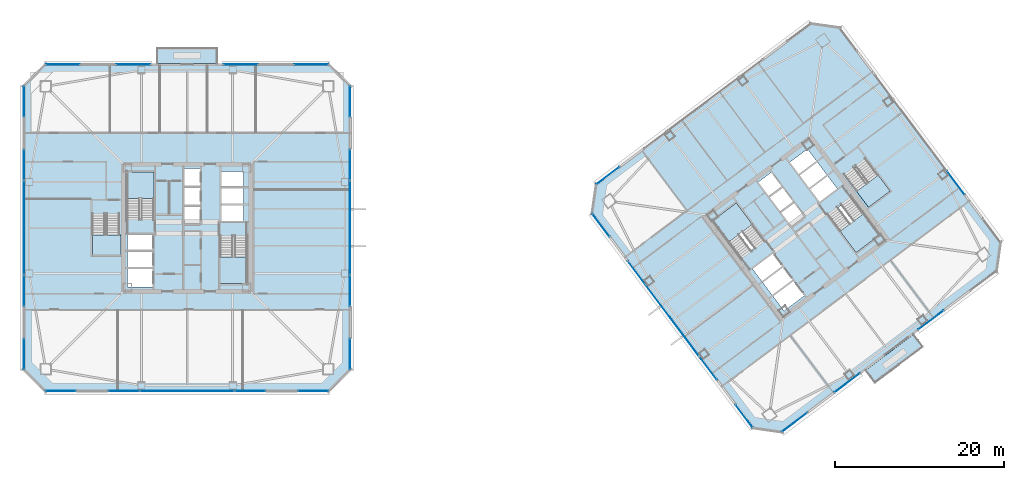
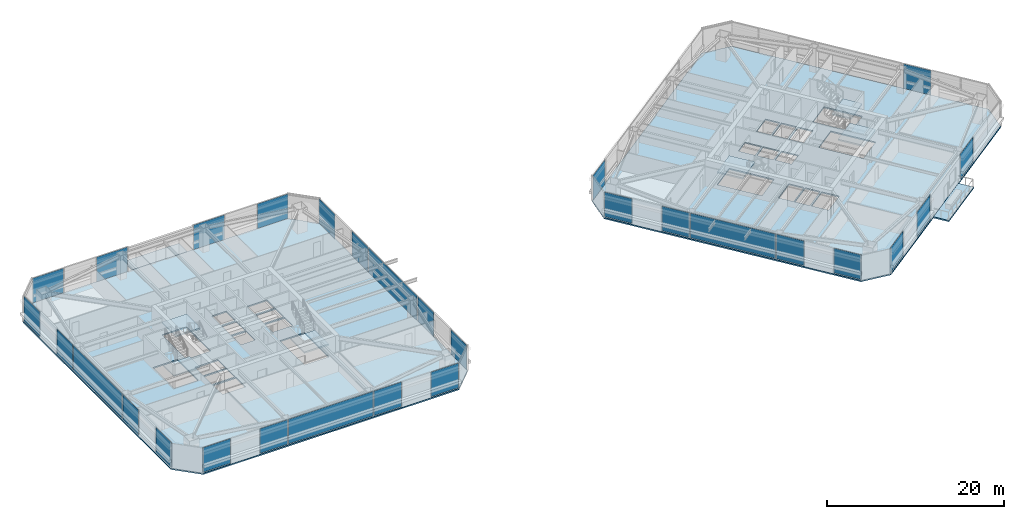
# One storey, part 34 of 46: 29 plates, 10 slabs, 35 elements without a shape of their own.
"""IFC4 building model written with IfcOpenShell, lengths in metres."""

import ifcopenshell
import ifcopenshell.guid

model = None  # the IFC model being written
_history = None  # IfcOwnerHistory: only IFC2X3 demands one
_inside = {}  # id of a spatial element -> (the spatial element, [elements in it])
_under = {}  # id of a project, library or spatial element -> (it, [spatial elements below it])
_declared = {}  # id of a project -> (the project, [libraries it declares])
_typed = {}  # id of a type object -> (the type object, [elements of that type])
_made_of = {}  # id of a material, layer set ... -> (it, [elements and type objects made of it])


def new_model(schema):
    """Start an empty IFC model of exactly this schema.

    Asked for "IFC4X3", IfcOpenShell would pick the latest addendum, in which some entities
    have other attributes; the version numbers below select the first issue.
    IFC2X3 requires an IfcOwnerHistory on every rooted entity: one is made here for all.
    """
    global model, _history
    if schema == "IFC4X3":
        model = ifcopenshell.file(schema_version=(4, 3, 0, 0))
    else:
        model = ifcopenshell.file(schema=schema)
    _inside.clear()
    _under.clear()
    _declared.clear()
    _typed.clear()
    _made_of.clear()
    _history = None
    if model.schema == "IFC2X3":
        org = make("IfcOrganization", Name="unknown")
        user = make(
            "IfcPersonAndOrganization",
            ThePerson=make("IfcPerson", FamilyName="unknown"),
            TheOrganization=org,
        )
        app = make(
            "IfcApplication",
            ApplicationDeveloper=org,
            Version="unknown",
            ApplicationFullName="unknown",
            ApplicationIdentifier="unknown",
        )
        _history = make(
            "IfcOwnerHistory",
            OwningUser=user,
            OwningApplication=app,
            ChangeAction="ADDED",
            CreationDate=0,
        )
    return model


def make(cls, **values):
    """One entity of the class cls with the attributes given. An attribute that is None is left unset."""
    return model.create_entity(
        cls, **{name: value for name, value in values.items() if value is not None}
    )


def rooted(cls, **values):
    """An entity with a GlobalId (a new one), such as an element, a storey or a relation."""
    return make(cls, GlobalId=ifcopenshell.guid.new(), OwnerHistory=_history, **values)


def si_unit(unit_type, name, prefix=None):
    """IfcSIUnit, for example si_unit("LENGTHUNIT", "METRE", prefix="MILLI")."""
    return make("IfcSIUnit", UnitType=unit_type, Prefix=prefix, Name=name)


def assignment(units):
    """IfcUnitAssignment: the units of a project."""
    return None if units is None else make("IfcUnitAssignment", Units=units)


def point(xyz):
    """IfcCartesianPoint."""
    return None if xyz is None else make("IfcCartesianPoint", Coordinates=xyz)


def direction(xyz):
    """IfcDirection."""
    return None if xyz is None else make("IfcDirection", DirectionRatios=xyz)


def frame(location, z_axis=None, x_axis=None):
    """IfcAxis2Placement3D, a coordinate frame: its origin and axes. An axis left out is left unset."""
    return make(
        "IfcAxis2Placement3D",
        Location=point(location),
        Axis=direction(z_axis),
        RefDirection=direction(x_axis),
    )


def frame_2d(location, x_axis=None):
    """IfcAxis2Placement2D, a coordinate frame in the plane: its origin and x axis."""
    return make(
        "IfcAxis2Placement2D", Location=point(location), RefDirection=direction(x_axis)
    )


def origin():
    """The frame at (0, 0, 0) with its axes left unset."""
    return frame((0.0, 0.0, 0.0))


def origin_2d():
    """The frame at (0, 0) in the plane with its x axis left unset."""
    return frame_2d((0.0, 0.0))


def place(relative_to, where):
    """IfcLocalPlacement: puts the frame where relative to a parent placement (None: the world)."""
    return make(
        "IfcLocalPlacement", PlacementRelTo=relative_to, RelativePlacement=where
    )


def context(
    kind, dimensions, precision=None, world=None, true_north=None, identifier=None
):
    """IfcGeometricRepresentationContext, for example the 3D "Model" context."""
    return make(
        "IfcGeometricRepresentationContext",
        ContextIdentifier=identifier,
        ContextType=kind,
        CoordinateSpaceDimension=dimensions,
        Precision=precision,
        WorldCoordinateSystem=world,
        TrueNorth=true_north,
    )


def subcontext(parent, identifier, kind, view, scale=None):
    """IfcGeometricRepresentationSubContext, for example "Body" below "Model"."""
    return make(
        "IfcGeometricRepresentationSubContext",
        ContextIdentifier=identifier,
        ContextType=kind,
        ParentContext=parent,
        TargetScale=scale,
        TargetView=view,
    )


def project(units=None, contexts=None):
    """IfcProject with its units and contexts."""
    return rooted(
        "IfcProject",
        Name="project",
        RepresentationContexts=contexts,
        UnitsInContext=assignment(units),
    )


def spatial(cls, under=None, at=None, **own):
    """A site, building, storey or space (cls), placed at a placement, below another one or the project."""
    s = rooted(cls, ObjectPlacement=at, **own)
    if under is not None:
        _under.setdefault(under.id(), (under, []))[1].append(s)
    return s


def polyline(points):
    """IfcPolyline through the points."""
    return make("IfcPolyline", Points=[point(p) for p in points])


def profile(cls, at=None, kind="AREA", **sizes):
    """A parametric profile (cls). Its sizes go by their IFC names, for example OverallWidth=200.0."""
    return make(cls, ProfileType=kind, Position=at, **sizes)


def rectangle(**sizes):
    """IfcRectangleProfileDef."""
    return profile("IfcRectangleProfileDef", **sizes)


def outline(outer, holes=None, kind="AREA"):
    """IfcArbitraryClosedProfileDef: a profile drawn as a closed curve; with holes, ...WithVoids."""
    if holes is None:
        return make("IfcArbitraryClosedProfileDef", ProfileType=kind, OuterCurve=outer)
    return make(
        "IfcArbitraryProfileDefWithVoids",
        ProfileType=kind,
        OuterCurve=outer,
        InnerCurves=holes,
    )


def extrude(swept, where, along, depth):
    """IfcExtrudedAreaSolid: the profile swept, set in the frame where, extruded along a direction by depth."""
    return make(
        "IfcExtrudedAreaSolid",
        SweptArea=swept,
        Position=where,
        ExtrudedDirection=direction(along),
        Depth=depth,
    )


def shape(context_of_items, identifier, shape_type, items):
    """IfcShapeRepresentation: the items that make up one representation, for example the "Body"."""
    return make(
        "IfcShapeRepresentation",
        ContextOfItems=context_of_items,
        RepresentationIdentifier=identifier,
        RepresentationType=shape_type,
        Items=items,
    )


def material(Name=None, Category=None):
    """IfcMaterial."""
    return make("IfcMaterial", Name=Name, Category=Category)


def layer(
    of_material, thickness, ventilated=None, Name=None, Category=None, Priority=None
):
    """IfcMaterialLayer: one layer of a wall or slab, of a material (None: an air gap)."""
    return make(
        "IfcMaterialLayer",
        Material=of_material,
        LayerThickness=thickness,
        IsVentilated=ventilated,
        Name=Name,
        Category=Category,
        Priority=Priority,
    )


def layer_set(layers, Name=None):
    """IfcMaterialLayerSet."""
    return make("IfcMaterialLayerSet", MaterialLayers=layers, LayerSetName=Name)


def made_of(thing, what):
    """Note that an element or type object is made of a material, layer set ...; save() writes the relation."""
    if what is not None:
        _made_of.setdefault(what.id(), (what, []))[1].append(thing)
    return thing


def type_object(cls, material=None, **own):
    """A type object (cls), such as IfcWallType, which elements share."""
    return made_of(rooted(cls, **own), material)


def element(
    cls,
    number,
    at=None,
    inside=None,
    cuts=None,
    type_object=None,
    material=None,
    context=None,
    identifier="Body",
    shape_type=None,
    held_by="IfcProductDefinitionShape",
    body=None,
    shapes=None,
    **own,
):
    """One element of the class cls, such as IfcWall. Its Tag is "e" and its number.

    at: its placement. inside: the storey or other place that contains it. cuts: it is an
    opening in that element (IfcRelVoidsElement). A single representation is given by context,
    identifier, shape_type and body (its items); several are given by shapes. held_by: the class
    of the entity that holds the representations. save() writes the other relations.
    """
    e = rooted(cls, Tag="e%d" % number, ObjectPlacement=at, **own)
    if body is not None:
        shapes = [shape(context, identifier, shape_type, body)]
    if shapes is not None:
        e.Representation = make(held_by, Representations=shapes)
    if inside is not None:
        _inside.setdefault(inside.id(), (inside, []))[1].append(e)
    if cuts is not None:
        rooted(
            "IfcRelVoidsElement", RelatingBuildingElement=cuts, RelatedOpeningElement=e
        )
    if type_object is not None:
        _typed.setdefault(type_object.id(), (type_object, []))[1].append(e)
    return made_of(e, material)


def aggregate(whole, parts):
    """IfcRelAggregates: a whole, such as a stair, and the parts it consists of."""
    return rooted("IfcRelAggregates", RelatingObject=whole, RelatedObjects=parts)


def save(model, path):
    """Write the relations noted so far, then the file.

    IfcRelAggregates (storeys below a building ...), IfcRelContainedInSpatialStructure (elements
    in a storey), IfcRelDefinesByType, IfcRelAssociatesMaterial and IfcRelDeclares: one each for
    every whole, place, type object, material and project.
    """
    for whole, parts in _under.values():
        aggregate(whole, parts)
    for where, things in _inside.values():
        rooted(
            "IfcRelContainedInSpatialStructure",
            RelatedElements=things,
            RelatingStructure=where,
        )
    for kind, things in _typed.values():
        rooted("IfcRelDefinesByType", RelatedObjects=things, RelatingType=kind)
    for what, things in _made_of.values():
        rooted("IfcRelAssociatesMaterial", RelatedObjects=things, RelatingMaterial=what)
    for by, libraries in _declared.values():
        rooted("IfcRelDeclares", RelatingContext=by, RelatedDefinitions=libraries)
    model.write(path)


model = new_model("IFC4")

# Units and contexts
model_context = context("Model", 3, precision=1e-05, world=origin(), true_north=direction((0.0, 1.0)))
body_context = subcontext(model_context, "Body", "Model", "MODEL_VIEW")
ifc_project = project(units=[si_unit("LENGTHUNIT", "METRE"), si_unit("AREAUNIT", "SQUARE_METRE"), si_unit("VOLUMEUNIT", "CUBIC_METRE"), si_unit("PLANEANGLEUNIT", "RADIAN"), si_unit("MASSUNIT", "GRAM", prefix="KILO")], contexts=[model_context])

# Site, building, storey
site_placement = place(None, origin())
site = spatial("IfcSite", under=ifc_project, at=site_placement, CompositionType="ELEMENT")
building_placement = place(site_placement, origin())
building = spatial("IfcBuilding", under=site, at=building_placement, Name="Tashvorn Skyway Center", CompositionType="ELEMENT")
storey_placement = place(building_placement, frame((0.0, 0.0, 139.25)))
storey = spatial("IfcBuildingStorey", under=building, at=storey_placement, Name="L37", CompositionType="ELEMENT", Elevation=139.25)

# Curtain wall, plate
ifc_material_1 = material(Name="Thermally broken bronze-anodized aluminium 6063-T6", Category="aluminium")
curtain_wall_type = type_object("IfcCurtainWallType", Name="CW-CW-Z3", PredefinedType="NOTDEFINED", material=ifc_material_1)
curtain_wall_1_placement = place(storey_placement, origin())
curtain_wall_1 = element("IfcCurtainWall", 1, at=curtain_wall_1_placement, inside=storey, type_object=curtain_wall_type, Name="Tower 1 L37 South Unitised Curtain Wall Glazing Group 1", PredefinedType="NOTDEFINED")
ifc_material_2 = material(Name="Low-E solar-control double insulating safety glass", Category="glass")
ifc_layer_1 = layer(ifc_material_2, 0.0400390625)
ifc_layer_set_1 = layer_set([ifc_layer_1], Name="Low-E solar-control double insulating safety glass")
plate_type = type_object("IfcPlateType", Name="CWP-CW-Z3", PredefinedType="CURTAIN_PANEL", material=ifc_layer_set_1)
plate_1_placement = place(storey_placement, frame((56.91552734375, 12.719970703125, 0.074951171875), z_axis=(0.0, 0.0, 1.0), x_axis=(-1.0, 0.0, 0.0)))
plate_1 = element("IfcPlate", 2, at=plate_1_placement, type_object=plate_type, Name="CW-Z3 panel 1.1", PredefinedType="CURTAIN_PANEL", context=body_context, shape_type="SweptSolid", body=[
    extrude(rectangle(XDim=3.578857421875, YDim=0.0400390625, at=origin_2d()), origin(), (0.0, 0.0, 1.0), 3.39990234375),
])
aggregate(curtain_wall_1, [plate_1])

curtain_wall_2_placement = place(storey_placement, origin())
curtain_wall_2 = element("IfcCurtainWall", 3, at=curtain_wall_2_placement, inside=storey, type_object=curtain_wall_type, Name="Tower 1 L37 South Unitised Curtain Wall Glazing Group 2", PredefinedType="NOTDEFINED")
plate_2_placement = place(storey_placement, frame((49.457763671875, 12.719970703125, 0.074951171875), z_axis=(0.0, 0.0, 1.0), x_axis=(-1.0, 0.0, 0.0)))
plate_2 = element("IfcPlate", 4, at=plate_2_placement, type_object=plate_type, Name="CW-Z3 panel 1.1", PredefinedType="CURTAIN_PANEL", context=body_context, shape_type="SweptSolid", body=[
    extrude(rectangle(XDim=3.578857421875, YDim=0.0400390625, at=origin_2d()), origin(), (0.0, 0.0, 1.0), 3.39990234375),
])
aggregate(curtain_wall_2, [plate_2])

curtain_wall_3_placement = place(storey_placement, origin())
curtain_wall_3 = element("IfcCurtainWall", 5, at=curtain_wall_3_placement, inside=storey, type_object=curtain_wall_type, Name="Tower 1 L37 South Unitised Curtain Wall Glazing Group 3", PredefinedType="NOTDEFINED")
plate_3_placement = place(storey_placement, frame((42.0, 12.719970703125, 0.074951171875), z_axis=(0.0, 0.0, 1.0), x_axis=(-1.0, 0.0, 0.0)))
plate_3 = element("IfcPlate", 6, at=plate_3_placement, type_object=plate_type, Name="CW-Z3 panel 1.1", PredefinedType="CURTAIN_PANEL", context=body_context, shape_type="SweptSolid", body=[
    extrude(rectangle(XDim=11.03662109375, YDim=0.0400390625, at=origin_2d()), origin(), (0.0, 0.0, 1.0), 3.39990234375),
])
aggregate(curtain_wall_3, [plate_3])

curtain_wall_4_placement = place(storey_placement, origin())
curtain_wall_4 = element("IfcCurtainWall", 7, at=curtain_wall_4_placement, inside=storey, type_object=curtain_wall_type, Name="Tower 1 L37 South Unitised Curtain Wall Glazing Group 4", PredefinedType="NOTDEFINED")
plate_4_placement = place(storey_placement, frame((34.542236328125, 12.719970703125, 0.074951171875), z_axis=(0.0, 0.0, 1.0), x_axis=(-1.0, 0.0, 0.0)))
plate_4 = element("IfcPlate", 8, at=plate_4_placement, type_object=plate_type, Name="CW-Z3 panel 1.1", PredefinedType="CURTAIN_PANEL", context=body_context, shape_type="SweptSolid", body=[
    extrude(rectangle(XDim=3.578857421875, YDim=0.0400390625, at=origin_2d()), origin(), (0.0, 0.0, 1.0), 3.39990234375),
])
aggregate(curtain_wall_4, [plate_4])

curtain_wall_5_placement = place(storey_placement, origin())
curtain_wall_5 = element("IfcCurtainWall", 9, at=curtain_wall_5_placement, inside=storey, type_object=curtain_wall_type, Name="Tower 1 L37 South Unitised Curtain Wall Glazing Group 5", PredefinedType="NOTDEFINED")
plate_5_placement = place(storey_placement, frame((27.08447265625, 12.719970703125, 0.074951171875), z_axis=(0.0, 0.0, 1.0), x_axis=(-1.0, 0.0, 0.0)))
plate_5 = element("IfcPlate", 10, at=plate_5_placement, type_object=plate_type, Name="CW-Z3 panel 1.1", PredefinedType="CURTAIN_PANEL", context=body_context, shape_type="SweptSolid", body=[
    extrude(rectangle(XDim=3.578857421875, YDim=0.0400390625, at=origin_2d()), origin(), (0.0, 0.0, 1.0), 3.39990234375),
])
aggregate(curtain_wall_5, [plate_5])

curtain_wall_6_placement = place(storey_placement, origin())
curtain_wall_6 = element("IfcCurtainWall", 11, at=curtain_wall_6_placement, inside=storey, type_object=curtain_wall_type, Name="Tower 1 L37 West Unitised Curtain Wall Glazing Group 1", PredefinedType="NOTDEFINED")
plate_6_placement = place(storey_placement, frame((22.719970703125, 17.08447265625, 0.074951171875), z_axis=(0.0, 0.0, 1.0), x_axis=(0.0, 1.0, 0.0)))
plate_6 = element("IfcPlate", 12, at=plate_6_placement, type_object=plate_type, Name="CW-Z3 panel 1.1", PredefinedType="CURTAIN_PANEL", context=body_context, shape_type="SweptSolid", body=[
    extrude(rectangle(XDim=3.578857421875, YDim=0.0400390625, at=origin_2d()), origin(), (0.0, 0.0, 1.0), 3.39990234375),
])
aggregate(curtain_wall_6, [plate_6])

curtain_wall_7_placement = place(storey_placement, origin())
curtain_wall_7 = element("IfcCurtainWall", 13, at=curtain_wall_7_placement, inside=storey, type_object=curtain_wall_type, Name="Tower 1 L37 West Unitised Curtain Wall Glazing Group 2", PredefinedType="NOTDEFINED")
plate_7_placement = place(storey_placement, frame((22.719970703125, 24.542236328125, 0.074951171875), z_axis=(0.0, 0.0, 1.0), x_axis=(0.0, 1.0, 0.0)))
plate_7 = element("IfcPlate", 14, at=plate_7_placement, type_object=plate_type, Name="CW-Z3 panel 1.1", PredefinedType="CURTAIN_PANEL", context=body_context, shape_type="SweptSolid", body=[
    extrude(rectangle(XDim=3.578857421875, YDim=0.0400390625, at=origin_2d()), origin(), (0.0, 0.0, 1.0), 3.39990234375),
])
aggregate(curtain_wall_7, [plate_7])

curtain_wall_8_placement = place(storey_placement, origin())
curtain_wall_8 = element("IfcCurtainWall", 15, at=curtain_wall_8_placement, inside=storey, type_object=curtain_wall_type, Name="Tower 1 L37 West Unitised Curtain Wall Glazing Group 3", PredefinedType="NOTDEFINED")
plate_8_placement = place(storey_placement, frame((22.719970703125, 32.0, 0.074951171875), z_axis=(0.0, 0.0, 1.0), x_axis=(0.0, 1.0, 0.0)))
plate_8 = element("IfcPlate", 16, at=plate_8_placement, type_object=plate_type, Name="CW-Z3 panel 1.1", PredefinedType="CURTAIN_PANEL", context=body_context, shape_type="SweptSolid", body=[
    extrude(rectangle(XDim=11.03662109375, YDim=0.0400390625, at=origin_2d()), origin(), (0.0, 0.0, 1.0), 3.39990234375),
])
aggregate(curtain_wall_8, [plate_8])

curtain_wall_9_placement = place(storey_placement, origin())
curtain_wall_9 = element("IfcCurtainWall", 17, at=curtain_wall_9_placement, inside=storey, type_object=curtain_wall_type, Name="Tower 1 L37 West Unitised Curtain Wall Glazing Group 4", PredefinedType="NOTDEFINED")
plate_9_placement = place(storey_placement, frame((22.719970703125, 39.457763671875, 0.074951171875), z_axis=(0.0, 0.0, 1.0), x_axis=(0.0, 1.0, 0.0)))
plate_9 = element("IfcPlate", 18, at=plate_9_placement, type_object=plate_type, Name="CW-Z3 panel 1.1", PredefinedType="CURTAIN_PANEL", context=body_context, shape_type="SweptSolid", body=[
    extrude(rectangle(XDim=3.578857421875, YDim=0.0400390625, at=origin_2d()), origin(), (0.0, 0.0, 1.0), 3.39990234375),
])
aggregate(curtain_wall_9, [plate_9])

curtain_wall_10_placement = place(storey_placement, origin())
curtain_wall_10 = element("IfcCurtainWall", 19, at=curtain_wall_10_placement, inside=storey, type_object=curtain_wall_type, Name="Tower 1 L37 West Unitised Curtain Wall Glazing Group 5", PredefinedType="NOTDEFINED")
plate_10_placement = place(storey_placement, frame((22.719970703125, 46.91552734375, 0.074951171875), z_axis=(0.0, 0.0, 1.0), x_axis=(0.0, 1.0, 0.0)))
plate_10 = element("IfcPlate", 20, at=plate_10_placement, type_object=plate_type, Name="CW-Z3 panel 1.1", PredefinedType="CURTAIN_PANEL", context=body_context, shape_type="SweptSolid", body=[
    extrude(rectangle(XDim=3.578857421875, YDim=0.0400390625, at=origin_2d()), origin(), (0.0, 0.0, 1.0), 3.39990234375),
])
aggregate(curtain_wall_10, [plate_10])

curtain_wall_11_placement = place(storey_placement, origin())
curtain_wall_11 = element("IfcCurtainWall", 21, at=curtain_wall_11_placement, inside=storey, type_object=curtain_wall_type, Name="Tower 1 L37 North Curtain Wall L Glazing Group 1", PredefinedType="NOTDEFINED")
plate_11_placement = place(storey_placement, frame((27.308349609375, 51.280029296875, 0.074951171875), z_axis=(0.0, 0.0, 1.0), x_axis=(1.0, 0.0, 0.0)))
plate_11 = element("IfcPlate", 22, at=plate_11_placement, type_object=plate_type, Name="CW-Z3 panel 1.1", PredefinedType="CURTAIN_PANEL", context=body_context, shape_type="SweptSolid", body=[
    extrude(rectangle(XDim=4.026611328125, YDim=0.0400390625, at=origin_2d()), origin(), (0.0, 0.0, 1.0), 3.39990234375),
])
aggregate(curtain_wall_11, [plate_11])

curtain_wall_12_placement = place(storey_placement, origin())
curtain_wall_12 = element("IfcCurtainWall", 23, at=curtain_wall_12_placement, inside=storey, type_object=curtain_wall_type, Name="Tower 1 L37 North Curtain Wall L Glazing Group 2", PredefinedType="NOTDEFINED")
plate_12_placement = place(storey_placement, frame((35.66162109375, 51.280029296875, 0.074951171875), z_axis=(0.0, 0.0, 1.0), x_axis=(1.0, 0.0, 0.0)))
plate_12 = element("IfcPlate", 24, at=plate_12_placement, type_object=plate_type, Name="CW-Z3 panel 1.1", PredefinedType="CURTAIN_PANEL", context=body_context, shape_type="SweptSolid", body=[
    extrude(rectangle(XDim=4.026611328125, YDim=0.0400390625, at=origin_2d()), origin(), (0.0, 0.0, 1.0), 3.39990234375),
])
aggregate(curtain_wall_12, [plate_12])

curtain_wall_13_placement = place(storey_placement, origin())
curtain_wall_13 = element("IfcCurtainWall", 25, at=curtain_wall_13_placement, inside=storey, type_object=curtain_wall_type, Name="Tower 1 L37 North Curtain Wall R Glazing Group 1", PredefinedType="NOTDEFINED")
plate_13_placement = place(storey_placement, frame((48.33837890625, 51.280029296875, 0.074951171875), z_axis=(0.0, 0.0, 1.0), x_axis=(1.0, 0.0, 0.0)))
plate_13 = element("IfcPlate", 26, at=plate_13_placement, type_object=plate_type, Name="CW-Z3 panel 1.1", PredefinedType="CURTAIN_PANEL", context=body_context, shape_type="SweptSolid", body=[
    extrude(rectangle(XDim=4.026611328125, YDim=0.0400390625, at=origin_2d()), origin(), (0.0, 0.0, 1.0), 3.39990234375),
])
aggregate(curtain_wall_13, [plate_13])

curtain_wall_14_placement = place(storey_placement, origin())
curtain_wall_14 = element("IfcCurtainWall", 27, at=curtain_wall_14_placement, inside=storey, type_object=curtain_wall_type, Name="Tower 1 L37 North Curtain Wall R Glazing Group 2", PredefinedType="NOTDEFINED")
plate_14_placement = place(storey_placement, frame((56.691650390625, 51.280029296875, 0.074951171875), z_axis=(0.0, 0.0, 1.0), x_axis=(1.0, 0.0, 0.0)))
plate_14 = element("IfcPlate", 28, at=plate_14_placement, type_object=plate_type, Name="CW-Z3 panel 1.1", PredefinedType="CURTAIN_PANEL", context=body_context, shape_type="SweptSolid", body=[
    extrude(rectangle(XDim=4.026611328125, YDim=0.0400390625, at=origin_2d()), origin(), (0.0, 0.0, 1.0), 3.39990234375),
])
aggregate(curtain_wall_14, [plate_14])

curtain_wall_15_placement = place(storey_placement, origin())
curtain_wall_15 = element("IfcCurtainWall", 29, at=curtain_wall_15_placement, inside=storey, type_object=curtain_wall_type, Name="Tower 1 L37 East Unitised Curtain Wall Glazing Group 1", PredefinedType="NOTDEFINED")
plate_15_placement = place(storey_placement, frame((61.280029296875, 46.91552734375, 0.074951171875), z_axis=(0.0, 0.0, 1.0), x_axis=(0.0, -1.0, 0.0)))
plate_15 = element("IfcPlate", 30, at=plate_15_placement, type_object=plate_type, Name="CW-Z3 panel 1.1", PredefinedType="CURTAIN_PANEL", context=body_context, shape_type="SweptSolid", body=[
    extrude(rectangle(XDim=3.578857421875, YDim=0.0400390625, at=origin_2d()), origin(), (0.0, 0.0, 1.0), 3.39990234375),
])
aggregate(curtain_wall_15, [plate_15])

curtain_wall_16_placement = place(storey_placement, origin())
curtain_wall_16 = element("IfcCurtainWall", 31, at=curtain_wall_16_placement, inside=storey, type_object=curtain_wall_type, Name="Tower 1 L37 East Unitised Curtain Wall Glazing Group 2", PredefinedType="NOTDEFINED")
plate_16_placement = place(storey_placement, frame((61.280029296875, 39.457763671875, 0.074951171875), z_axis=(0.0, 0.0, 1.0), x_axis=(0.0, -1.0, 0.0)))
plate_16 = element("IfcPlate", 32, at=plate_16_placement, type_object=plate_type, Name="CW-Z3 panel 1.1", PredefinedType="CURTAIN_PANEL", context=body_context, shape_type="SweptSolid", body=[
    extrude(rectangle(XDim=3.578857421875, YDim=0.0400390625, at=origin_2d()), origin(), (0.0, 0.0, 1.0), 3.39990234375),
])
aggregate(curtain_wall_16, [plate_16])

curtain_wall_17_placement = place(storey_placement, origin())
curtain_wall_17 = element("IfcCurtainWall", 33, at=curtain_wall_17_placement, inside=storey, type_object=curtain_wall_type, Name="Tower 1 L37 East Unitised Curtain Wall Glazing Group 3", PredefinedType="NOTDEFINED")
plate_17_placement = place(storey_placement, frame((61.280029296875, 32.0, 0.074951171875), z_axis=(0.0, 0.0, 1.0), x_axis=(0.0, -1.0, 0.0)))
plate_17 = element("IfcPlate", 34, at=plate_17_placement, type_object=plate_type, Name="CW-Z3 panel 1.1", PredefinedType="CURTAIN_PANEL", context=body_context, shape_type="SweptSolid", body=[
    extrude(rectangle(XDim=11.03662109375, YDim=0.0400390625, at=origin_2d()), origin(), (0.0, 0.0, 1.0), 3.39990234375),
])
aggregate(curtain_wall_17, [plate_17])

curtain_wall_18_placement = place(storey_placement, origin())
curtain_wall_18 = element("IfcCurtainWall", 35, at=curtain_wall_18_placement, inside=storey, type_object=curtain_wall_type, Name="Tower 1 L37 East Unitised Curtain Wall Glazing Group 4", PredefinedType="NOTDEFINED")
plate_18_placement = place(storey_placement, frame((61.280029296875, 24.542236328125, 0.074951171875), z_axis=(0.0, 0.0, 1.0), x_axis=(0.0, -1.0, 0.0)))
plate_18 = element("IfcPlate", 36, at=plate_18_placement, type_object=plate_type, Name="CW-Z3 panel 1.1", PredefinedType="CURTAIN_PANEL", context=body_context, shape_type="SweptSolid", body=[
    extrude(rectangle(XDim=3.578857421875, YDim=0.0400390625, at=origin_2d()), origin(), (0.0, 0.0, 1.0), 3.39990234375),
])
aggregate(curtain_wall_18, [plate_18])

curtain_wall_19_placement = place(storey_placement, origin())
curtain_wall_19 = element("IfcCurtainWall", 37, at=curtain_wall_19_placement, inside=storey, type_object=curtain_wall_type, Name="Tower 1 L37 East Unitised Curtain Wall Glazing Group 5", PredefinedType="NOTDEFINED")
plate_19_placement = place(storey_placement, frame((61.280029296875, 17.08447265625, 0.074951171875), z_axis=(0.0, 0.0, 1.0), x_axis=(0.0, -1.0, 0.0)))
plate_19 = element("IfcPlate", 38, at=plate_19_placement, type_object=plate_type, Name="CW-Z3 panel 1.1", PredefinedType="CURTAIN_PANEL", context=body_context, shape_type="SweptSolid", body=[
    extrude(rectangle(XDim=3.578857421875, YDim=0.0400390625, at=origin_2d()), origin(), (0.0, 0.0, 1.0), 3.39990234375),
])
aggregate(curtain_wall_19, [plate_19])

curtain_wall_20_placement = place(storey_placement, origin())
curtain_wall_20 = element("IfcCurtainWall", 39, at=curtain_wall_20_placement, inside=storey, type_object=curtain_wall_type, Name="Tower 2 L37 South Curtain Wall L Glazing Group 2", PredefinedType="NOTDEFINED")
plate_20_placement = place(storey_placement, frame((129.918701171875, 21.089111328125, 0.074951171875), z_axis=(0.0, 0.0, 1.0), x_axis=(-0.799996904524, -0.600004127279, 0.0)))
plate_20 = element("IfcPlate", 40, at=plate_20_placement, type_object=plate_type, Name="CW-Z3 panel 1.1", PredefinedType="CURTAIN_PANEL", context=body_context, shape_type="SweptSolid", body=[
    extrude(rectangle(XDim=3.7265625, YDim=0.0400390625, at=origin_2d()), origin(), (0.0, 0.0, 1.0), 3.39990234375),
])
aggregate(curtain_wall_20, [plate_20])

curtain_wall_21_placement = place(storey_placement, origin())
curtain_wall_21 = element("IfcCurtainWall", 41, at=curtain_wall_21_placement, inside=storey, type_object=curtain_wall_type, Name="Tower 2 L37 South Curtain Wall R Glazing Group 1", PredefinedType="NOTDEFINED")
plate_21_placement = place(storey_placement, frame((120.017333984375, 13.6630859375, 0.074951171875), z_axis=(0.0, 0.0, 1.0), x_axis=(-0.799996904524, -0.600004127279, 0.0)))
plate_21 = element("IfcPlate", 42, at=plate_21_placement, type_object=plate_type, Name="CW-Z3 panel 1.1", PredefinedType="CURTAIN_PANEL", context=body_context, shape_type="SweptSolid", body=[
    extrude(rectangle(XDim=3.7265625, YDim=0.0400390625, at=origin_2d()), origin(), (0.0, 0.0, 1.0), 3.39990234375),
])
aggregate(curtain_wall_21, [plate_21])

curtain_wall_22_placement = place(storey_placement, origin())
curtain_wall_22 = element("IfcCurtainWall", 43, at=curtain_wall_22_placement, inside=storey, type_object=curtain_wall_type, Name="Tower 2 L37 South Curtain Wall R Glazing Group 2", PredefinedType="NOTDEFINED")
plate_22_placement = place(storey_placement, frame((113.814697265625, 9.010986328125, 0.074951171875), z_axis=(0.0, 0.0, 1.0), x_axis=(-0.799996904524, -0.600004127279, 0.0)))
plate_22 = element("IfcPlate", 44, at=plate_22_placement, type_object=plate_type, Name="CW-Z3 panel 1.1", PredefinedType="CURTAIN_PANEL", context=body_context, shape_type="SweptSolid", body=[
    extrude(rectangle(XDim=3.7265625, YDim=0.0400390625, at=origin_2d()), origin(), (0.0, 0.0, 1.0), 3.39990234375),
])
aggregate(curtain_wall_22, [plate_22])

curtain_wall_23_placement = place(storey_placement, origin())
curtain_wall_23 = element("IfcCurtainWall", 45, at=curtain_wall_23_placement, inside=storey, type_object=curtain_wall_type, Name="Tower 2 L37 West Unitised Curtain Wall Glazing Group 1", PredefinedType="NOTDEFINED")
plate_23_placement = place(storey_placement, frame((107.845458984375, 9.739501953125, 0.074951171875), z_axis=(0.0, 0.0, 1.0), x_axis=(-0.599995465948, 0.800003400519, 0.0)))
plate_23 = element("IfcPlate", 46, at=plate_23_placement, type_object=plate_type, Name="CW-Z3 panel 1.1", PredefinedType="CURTAIN_PANEL", context=body_context, shape_type="SweptSolid", body=[
    extrude(rectangle(XDim=3.37890625, YDim=0.0400390625, at=origin_2d()), origin(), (0.0, 0.0, 1.0), 3.39990234375),
])
aggregate(curtain_wall_23, [plate_23])

curtain_wall_24_placement = place(storey_placement, origin())
curtain_wall_24 = element("IfcCurtainWall", 47, at=curtain_wall_24_placement, inside=storey, type_object=curtain_wall_type, Name="Tower 2 L37 West Unitised Curtain Wall Glazing Group 2", PredefinedType="NOTDEFINED")
plate_24_placement = place(storey_placement, frame((103.610595703125, 15.3857421875, 0.074951171875), z_axis=(0.0, 0.0, 1.0), x_axis=(-0.599995465948, 0.800003400519, 0.0)))
plate_24 = element("IfcPlate", 48, at=plate_24_placement, type_object=plate_type, Name="CW-Z3 panel 1.1", PredefinedType="CURTAIN_PANEL", context=body_context, shape_type="SweptSolid", body=[
    extrude(rectangle(XDim=3.37890625, YDim=0.0400390625, at=origin_2d()), origin(), (0.0, 0.0, 1.0), 3.39990234375),
])
aggregate(curtain_wall_24, [plate_24])

curtain_wall_25_placement = place(storey_placement, origin())
curtain_wall_25 = element("IfcCurtainWall", 49, at=curtain_wall_25_placement, inside=storey, type_object=curtain_wall_type, Name="Tower 2 L37 West Unitised Curtain Wall Glazing Group 3", PredefinedType="NOTDEFINED")
plate_25_placement = place(storey_placement, frame((99.3759765625, 21.031982421875, 0.074951171875), z_axis=(0.0, 0.0, 1.0), x_axis=(-0.599996977339, 0.800002266987, 0.0)))
plate_25 = element("IfcPlate", 50, at=plate_25_placement, type_object=plate_type, Name="CW-Z3 panel 1.1", PredefinedType="CURTAIN_PANEL", context=body_context, shape_type="SweptSolid", body=[
    extrude(rectangle(XDim=10.436767578125, YDim=0.0400390625, at=origin_2d()), origin(), (0.0, 0.0, 1.0), 3.39990234375),
])
aggregate(curtain_wall_25, [plate_25])

curtain_wall_26_placement = place(storey_placement, origin())
curtain_wall_26 = element("IfcCurtainWall", 51, at=curtain_wall_26_placement, inside=storey, type_object=curtain_wall_type, Name="Tower 2 L37 West Unitised Curtain Wall Glazing Group 4", PredefinedType="NOTDEFINED")
plate_26_placement = place(storey_placement, frame((95.141357421875, 26.67822265625, 0.074951171875), z_axis=(0.0, 0.0, 1.0), x_axis=(-0.599995465948, 0.800003400519, 0.0)))
plate_26 = element("IfcPlate", 52, at=plate_26_placement, type_object=plate_type, Name="CW-Z3 panel 1.1", PredefinedType="CURTAIN_PANEL", context=body_context, shape_type="SweptSolid", body=[
    extrude(rectangle(XDim=3.37890625, YDim=0.0400390625, at=origin_2d()), origin(), (0.0, 0.0, 1.0), 3.39990234375),
])
aggregate(curtain_wall_26, [plate_26])

curtain_wall_27_placement = place(storey_placement, origin())
curtain_wall_27 = element("IfcCurtainWall", 53, at=curtain_wall_27_placement, inside=storey, type_object=curtain_wall_type, Name="Tower 2 L37 West Unitised Curtain Wall Glazing Group 5", PredefinedType="NOTDEFINED")
plate_27_placement = place(storey_placement, frame((90.90673828125, 32.324462890625, 0.074951171875), z_axis=(0.0, 0.0, 1.0), x_axis=(-0.599995465948, 0.800003400519, 0.0)))
plate_27 = element("IfcPlate", 54, at=plate_27_placement, type_object=plate_type, Name="CW-Z3 panel 1.1", PredefinedType="CURTAIN_PANEL", context=body_context, shape_type="SweptSolid", body=[
    extrude(rectangle(XDim=3.37890625, YDim=0.0400390625, at=origin_2d()), origin(), (0.0, 0.0, 1.0), 3.39990234375),
])
aggregate(curtain_wall_27, [plate_27])

curtain_wall_28_placement = place(storey_placement, origin())
curtain_wall_28 = element("IfcCurtainWall", 55, at=curtain_wall_28_placement, inside=storey, type_object=curtain_wall_type, Name="Tower 2 L37 North Unitised Curtain Wall Glazing Group 1", PredefinedType="NOTDEFINED")
plate_28_placement = place(storey_placement, frame((91.739501953125, 38.154541015625, 0.074951171875), z_axis=(0.0, 0.0, 1.0), x_axis=(0.800003400519, 0.599995465948, 0.0)))
plate_28 = element("IfcPlate", 56, at=plate_28_placement, type_object=plate_type, Name="CW-Z3 panel 1.1", PredefinedType="CURTAIN_PANEL", context=body_context, shape_type="SweptSolid", body=[
    extrude(rectangle(XDim=3.37890625, YDim=0.0400390625, at=origin_2d()), origin(), (0.0, 0.0, 1.0), 3.39990234375),
])
aggregate(curtain_wall_28, [plate_28])

curtain_wall_29_placement = place(storey_placement, origin())
curtain_wall_29 = element("IfcCurtainWall", 57, at=curtain_wall_29_placement, inside=storey, type_object=curtain_wall_type, Name="Tower 2 L37 East Unitised Curtain Wall Glazing Group 4", PredefinedType="NOTDEFINED")
plate_29_placement = place(storey_placement, frame((132.858642578125, 37.32177734375, 0.074951171875), z_axis=(0.0, 0.0, 1.0), x_axis=(0.599995465948, -0.800003400519, 0.0)))
plate_29 = element("IfcPlate", 58, at=plate_29_placement, type_object=plate_type, Name="CW-Z3 panel 1.1", PredefinedType="CURTAIN_PANEL", context=body_context, shape_type="SweptSolid", body=[
    extrude(rectangle(XDim=3.37890625, YDim=0.0400390625, at=origin_2d()), origin(), (0.0, 0.0, 1.0), 3.39990234375),
])
aggregate(curtain_wall_29, [plate_29])

# Slabs
ifc_material_3 = material(Name="Concrete C40/50", Category="concrete")
ifc_layer_2 = layer(ifc_material_3, 0.179931640625)
ifc_layer_set_2 = layer_set([ifc_layer_2], Name="Concrete C40/50")
slab_type_1 = type_object("IfcSlabType", Name="SLAB-FLR-180", PredefinedType="FLOOR", material=ifc_layer_set_2)
slab_1_placement = place(storey_placement, frame((0.0, 0.0, -0.179931640625)))
element("IfcSlab", 59, at=slab_1_placement, inside=storey, type_object=slab_type_1, Name="Tower 1 L37 Composite Floor Slab", PredefinedType="FLOOR", context=body_context, shape_type="SweptSolid", body=[
    extrude(outline(polyline([(25.300048828125, 12.60009765625), (58.699951171875, 12.60009765625), (61.39990234375, 15.300048828125), (61.39990234375, 48.699951171875), (58.699951171875, 51.39990234375), (25.300048828125, 51.39990234375), (22.60009765625, 48.699951171875), (22.60009765625, 15.300048828125), (25.300048828125, 12.60009765625)]), holes=[polyline([(38.10009765625, 33.080078125), (38.10009765625, 38.60009765625), (34.89990234375, 38.60009765625), (34.89990234375, 33.080078125), (38.10009765625, 33.080078125)]), polyline([(45.89990234375, 30.919921875), (45.89990234375, 25.39990234375), (49.10009765625, 25.39990234375), (49.10009765625, 30.919921875), (45.89990234375, 30.919921875)]), polyline([(30.800048828125, 33.52001953125), (30.800048828125, 28.800048828125), (34.0, 28.800048828125), (34.0, 33.52001953125), (30.800048828125, 33.52001953125)]), polyline([(34.949951171875, 29.35009765625), (37.949951171875, 29.35009765625), (37.949951171875, 31.199951171875), (34.949951171875, 31.199951171875), (34.949951171875, 29.35009765625)]), polyline([(34.949951171875, 27.35009765625), (37.949951171875, 27.35009765625), (37.949951171875, 29.199951171875), (34.949951171875, 29.199951171875), (34.949951171875, 27.35009765625)]), polyline([(34.949951171875, 25.0), (37.949951171875, 25.0), (37.949951171875, 27.14990234375), (34.949951171875, 27.14990234375), (34.949951171875, 25.0)]), polyline([(41.64990234375, 32.449951171875), (43.550048828125, 32.449951171875), (43.550048828125, 34.5), (41.64990234375, 34.5), (41.64990234375, 32.449951171875)]), polyline([(41.64990234375, 34.699951171875), (43.550048828125, 34.699951171875), (43.550048828125, 36.75), (41.64990234375, 36.75), (41.64990234375, 34.699951171875)]), polyline([(41.64990234375, 36.949951171875), (43.550048828125, 36.949951171875), (43.550048828125, 39.0), (41.64990234375, 39.0), (41.64990234375, 36.949951171875)]), polyline([(46.050048828125, 32.800048828125), (48.64990234375, 32.800048828125), (48.64990234375, 34.64990234375), (46.050048828125, 34.64990234375), (46.050048828125, 32.800048828125)]), polyline([(46.050048828125, 34.85009765625), (48.64990234375, 34.85009765625), (48.64990234375, 36.699951171875), (46.050048828125, 36.699951171875), (46.050048828125, 34.85009765625)]), polyline([(46.050048828125, 36.89990234375), (48.64990234375, 36.89990234375), (48.64990234375, 38.64990234375), (46.050048828125, 38.64990234375), (46.050048828125, 36.89990234375)])]), origin(), (0.0, 0.0, 1.0), 0.179931640625),
])
slab_2_placement = place(storey_placement, frame((0.0, 0.0, -0.179931640625)))
element("IfcSlab", 60, at=slab_2_placement, inside=storey, type_object=slab_type_1, Name="Tower 2 L37 Composite Floor Slab", PredefinedType="FLOOR", context=body_context, shape_type="SweptSolid", body=[
    extrude(outline(polyline([(112.39990234375, 7.800048828125), (137.679931640625, 26.760009765625), (138.199951171875, 30.39990234375), (119.239990234375, 55.679931640625), (115.60009765625, 56.199951171875), (90.320068359375, 37.239990234375), (89.800048828125, 33.60009765625), (108.760009765625, 8.320068359375), (112.39990234375, 7.800048828125)]), holes=[polyline([(110.23193359375, 30.52392578125), (106.919921875, 34.93994140625), (104.135986328125, 32.85205078125), (107.447998046875, 28.43603515625), (110.23193359375, 30.52392578125)]), polyline([(117.76806640625, 33.47607421875), (121.080078125, 29.06005859375), (123.864013671875, 31.14794921875), (120.552001953125, 35.56396484375), (117.76806640625, 33.47607421875)]), polyline([(119.7119140625, 38.18408203125), (122.5439453125, 34.407958984375), (125.10400390625, 36.327880859375), (122.27197265625, 40.10400390625), (119.7119140625, 38.18408203125)]), polyline([(109.949951171875, 25.64990234375), (112.35009765625, 27.449951171875), (111.239990234375, 28.929931640625), (108.840087890625, 27.1298828125), (109.949951171875, 25.64990234375)]), polyline([(111.14990234375, 24.050048828125), (113.550048828125, 25.85009765625), (112.43994140625, 27.330078125), (110.0400390625, 25.530029296875), (111.14990234375, 24.050048828125)]), polyline([(112.56005859375, 22.169921875), (114.9599609375, 23.969970703125), (113.669921875, 25.68994140625), (111.27001953125, 23.889892578125), (112.56005859375, 22.169921875)]), polyline([(113.449951171875, 32.14990234375), (114.969970703125, 33.2900390625), (113.739990234375, 34.929931640625), (112.219970703125, 33.7900390625), (113.449951171875, 32.14990234375)]), polyline([(112.10009765625, 33.949951171875), (113.6201171875, 35.090087890625), (112.389892578125, 36.72998046875), (110.8701171875, 35.590087890625), (112.10009765625, 33.949951171875)]), polyline([(110.75, 35.75), (112.27001953125, 36.889892578125), (111.0400390625, 38.530029296875), (109.52001953125, 37.389892578125), (110.75, 35.75)]), polyline([(116.760009765625, 35.070068359375), (118.840087890625, 36.6298828125), (117.72998046875, 38.110107421875), (115.64990234375, 36.550048828125), (116.760009765625, 35.070068359375)]), polyline([(115.530029296875, 36.7099609375), (117.610107421875, 38.27001953125), (116.5, 39.75), (114.419921875, 38.18994140625), (115.530029296875, 36.7099609375)]), polyline([(114.300048828125, 38.35009765625), (116.3798828125, 39.909912109375), (115.330078125, 41.31005859375), (113.25, 39.75), (114.300048828125, 38.35009765625)])]), origin(), (0.0, 0.0, 1.0), 0.179931640625),
])

# Stair, slab
stair_type = type_object("IfcStairType", Name="STAIR-CORE-1500", PredefinedType="HALF_TURN_STAIR", material=ifc_material_3)
stair_1_placement = place(storey_placement, origin())
stair_1 = element("IfcStair", 61, at=stair_1_placement, inside=storey, type_object=stair_type, Name="L37 Tower 1 Exit Stair 1", PredefinedType="HALF_TURN_STAIR")
ifc_layer_3 = layer(ifc_material_3, 0.199951171875)
ifc_layer_set_3 = layer_set([ifc_layer_3], Name="Concrete C40/50")
slab_type_2 = type_object("IfcSlabType", Name="SLAB-LAND-200", PredefinedType="LANDING", material=ifc_layer_set_3)
slab_3_placement = place(storey_placement, frame((0.0, 0.0, 1.574951171875)))
slab_3 = element("IfcSlab", 62, at=slab_3_placement, type_object=slab_type_2, Name="ST-T1-1 landing 1", PredefinedType="LANDING", context=body_context, shape_type="SweptSolid", body=[
    extrude(outline(polyline([(38.10009765625, 35.43994140625), (38.10009765625, 38.60009765625), (34.89990234375, 38.60009765625), (34.89990234375, 35.43994140625), (38.10009765625, 35.43994140625)])), origin(), (0.0, 0.0, 1.0), 0.199951171875),
])
aggregate(stair_1, [slab_3])

stair_2_placement = place(storey_placement, origin())
stair_2 = element("IfcStair", 63, at=stair_2_placement, inside=storey, type_object=stair_type, Name="L37 Tower 1 Exit Stair 2", PredefinedType="HALF_TURN_STAIR")
slab_4_placement = place(storey_placement, frame((0.0, 0.0, 1.574951171875)))
slab_4 = element("IfcSlab", 64, at=slab_4_placement, type_object=slab_type_2, Name="ST-T1-2 landing 1", PredefinedType="LANDING", context=body_context, shape_type="SweptSolid", body=[
    extrude(outline(polyline([(45.89990234375, 28.56005859375), (45.89990234375, 25.39990234375), (49.10009765625, 25.39990234375), (49.10009765625, 28.56005859375), (45.89990234375, 28.56005859375)])), origin(), (0.0, 0.0, 1.0), 0.199951171875),
])
aggregate(stair_2, [slab_4])

stair_3_placement = place(storey_placement, origin())
stair_3 = element("IfcStair", 65, at=stair_3_placement, inside=storey, type_object=stair_type, Name="L37 Tower 2 Exit Stair 1", PredefinedType="HALF_TURN_STAIR")
slab_5_placement = place(storey_placement, frame((0.0, 0.0, 1.574951171875)))
slab_5 = element("IfcSlab", 66, at=slab_5_placement, type_object=slab_type_2, Name="ST-T2-1 landing 1", PredefinedType="LANDING", context=body_context, shape_type="SweptSolid", body=[
    extrude(outline(polyline([(108.82080078125, 32.405517578125), (106.919921875, 34.93994140625), (104.135986328125, 32.85205078125), (106.036865234375, 30.317626953125), (108.82080078125, 32.405517578125)])), origin(), (0.0, 0.0, 1.0), 0.199951171875),
])
aggregate(stair_3, [slab_5])

stair_4_placement = place(storey_placement, origin())
stair_4 = element("IfcStair", 67, at=stair_4_placement, inside=storey, type_object=stair_type, Name="L37 Tower 2 Exit Stair 2", PredefinedType="HALF_TURN_STAIR")
slab_6_placement = place(storey_placement, frame((0.0, 0.0, 1.574951171875)))
slab_6 = element("IfcSlab", 68, at=slab_6_placement, type_object=slab_type_2, Name="ST-T2-2 landing 1", PredefinedType="LANDING", context=body_context, shape_type="SweptSolid", body=[
    extrude(outline(polyline([(119.17919921875, 31.594482421875), (121.080078125, 29.06005859375), (123.864013671875, 31.14794921875), (121.963134765625, 33.682373046875), (119.17919921875, 31.594482421875)])), origin(), (0.0, 0.0, 1.0), 0.199951171875),
])
aggregate(stair_4, [slab_6])

stair_5_placement = place(storey_placement, origin())
stair_5 = element("IfcStair", 69, at=stair_5_placement, inside=storey, type_object=stair_type, Name="L37 Tower 1 Exit Stair 3", PredefinedType="HALF_TURN_STAIR")
slab_7_placement = place(storey_placement, frame((0.0, 0.0, 1.574951171875)))
slab_7 = element("IfcSlab", 70, at=slab_7_placement, type_object=slab_type_2, Name="ST-T1-3 landing 1", PredefinedType="LANDING", context=body_context, shape_type="SweptSolid", body=[
    extrude(outline(polyline([(30.800048828125, 31.159912109375), (30.800048828125, 28.800048828125), (34.199951171875, 28.800048828125), (34.199951171875, 31.159912109375), (30.800048828125, 31.159912109375)])), origin(), (0.0, 0.0, 1.0), 0.199951171875),
])
aggregate(stair_5, [slab_7])

stair_6_placement = place(storey_placement, origin())
stair_6 = element("IfcStair", 71, at=stair_6_placement, inside=storey, type_object=stair_type, Name="L37 Tower 2 Exit Stair 3", PredefinedType="HALF_TURN_STAIR")
slab_8_placement = place(storey_placement, frame((0.0, 0.0, 1.574951171875)))
slab_8 = element("IfcSlab", 72, at=slab_8_placement, type_object=slab_type_2, Name="ST-T2-3 landing 1", PredefinedType="LANDING", context=body_context, shape_type="SweptSolid", body=[
    extrude(outline(polyline([(121.123291015625, 36.302490234375), (122.5439453125, 34.407958984375), (125.10400390625, 36.327880859375), (123.68310546875, 38.222412109375), (121.123291015625, 36.302490234375)])), origin(), (0.0, 0.0, 1.0), 0.199951171875),
])
aggregate(stair_6, [slab_8])

# Slabs
ifc_layer_4 = layer(ifc_material_3, 0.179931640625)
ifc_layer_set_4 = layer_set([ifc_layer_4], Name="Concrete C40/50")
slab_type_3 = type_object("IfcSlabType", Name="SLAB-TERR-200", PredefinedType="FLOOR", material=ifc_layer_set_4)
slab_9_placement = place(storey_placement, frame((0.0, 0.0, -0.179931640625)))
element("IfcSlab", 73, at=slab_9_placement, inside=storey, type_object=slab_type_3, Name="Tower 1 L37 Spiral Planted Terrace Slab", PredefinedType="FLOOR", context=body_context, shape_type="SweptSolid", body=[
    extrude(outline(polyline([(38.39990234375, 51.389892578125), (45.60009765625, 51.389892578125), (45.60009765625, 53.300048828125), (38.39990234375, 53.300048828125), (38.39990234375, 51.389892578125)])), origin(), (0.0, 0.0, 1.0), 0.179931640625),
])
slab_10_placement = place(storey_placement, frame((0.0, 0.0, -0.179931640625)))
element("IfcSlab", 74, at=slab_10_placement, inside=storey, type_object=slab_type_3, Name="Tower 2 L37 Spiral Planted Terrace Slab", PredefinedType="FLOOR", context=body_context, shape_type="SweptSolid", body=[
    extrude(outline(polyline([(123.300048828125, 13.60009765625), (129.06005859375, 17.919921875), (127.9140625, 19.447998046875), (122.154052734375, 15.1279296875), (123.300048828125, 13.60009765625)])), origin(), (0.0, 0.0, 1.0), 0.179931640625),
])

save(model, "model.ifc")
